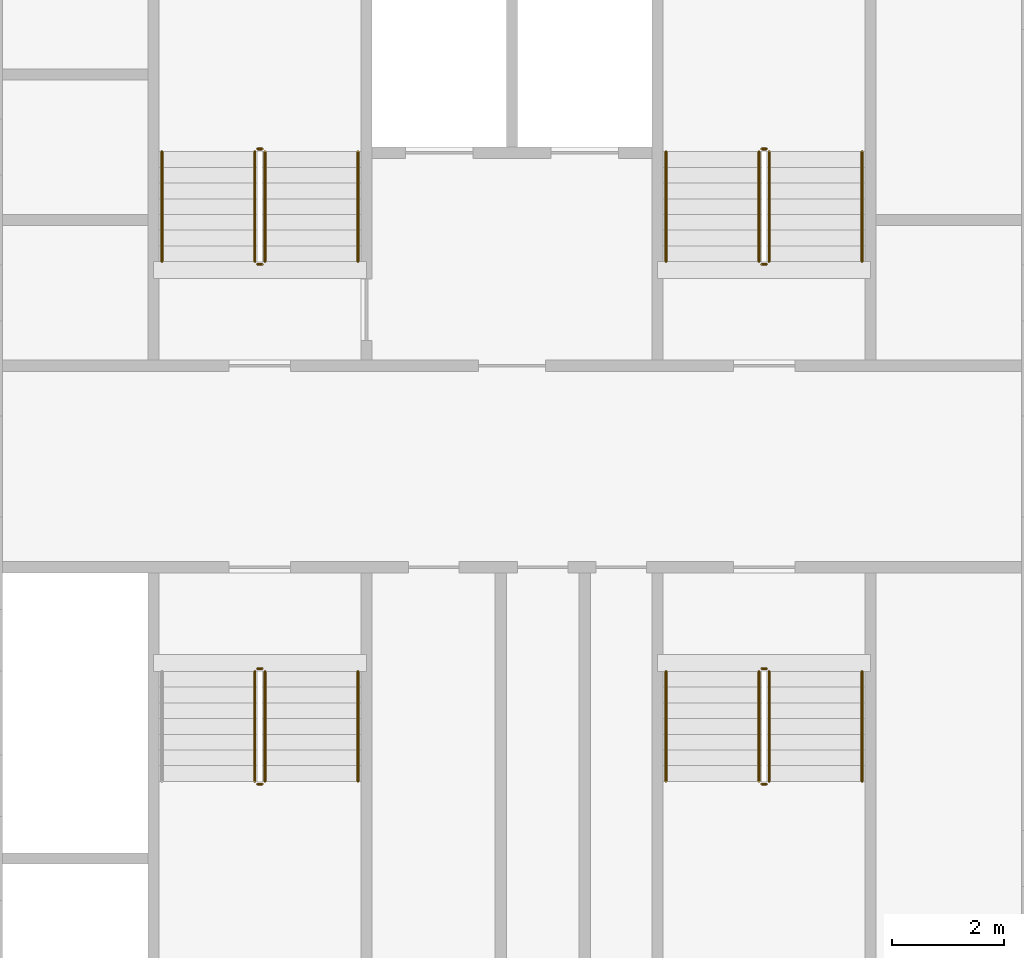
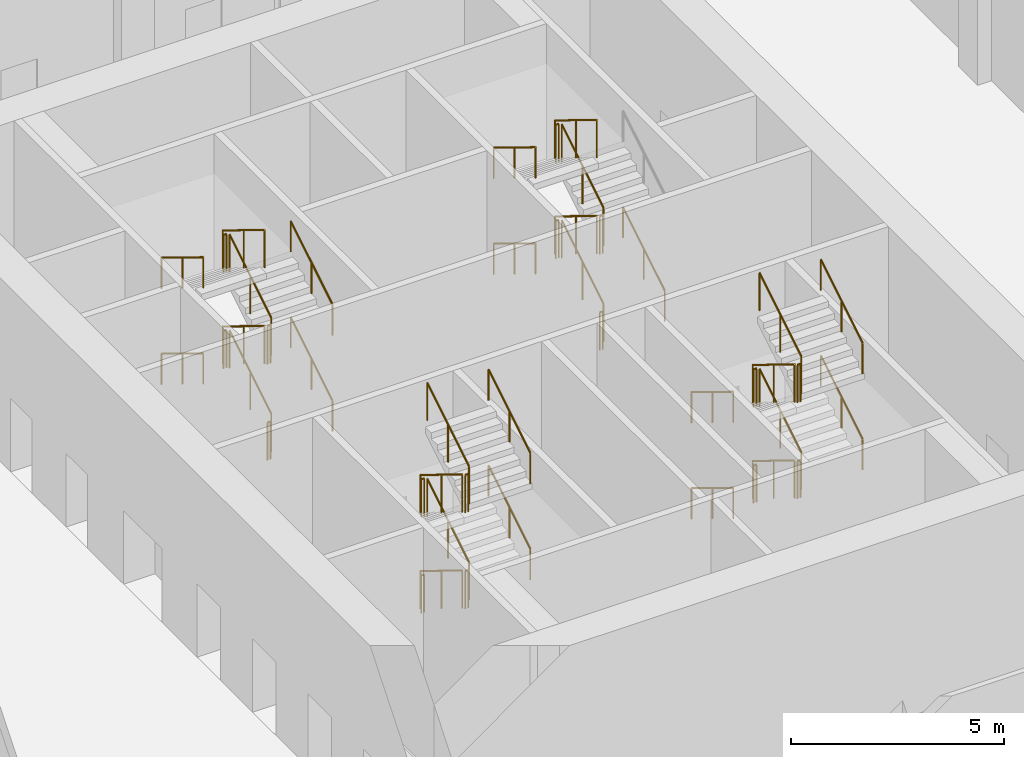
# One storey, part 21 of 23: 45 railings.
"""IFC4 building model written with IfcOpenShell, lengths in metres."""

from ifc_helpers import new_model, si_unit, direction, frame, origin, origin_2d, place, context, subcontext, project, spatial, circle, extrude, material, type_object, element, save


model = new_model("IFC4")

# Units and contexts
model_context = context("Model", 3, precision=1e-05, world=origin(), true_north=direction((0.0, 1.0)))
body_context = subcontext(model_context, "Body", "Model", "MODEL_VIEW")
ifc_project = project(units=[si_unit("LENGTHUNIT", "METRE"), si_unit("AREAUNIT", "SQUARE_METRE"), si_unit("VOLUMEUNIT", "CUBIC_METRE"), si_unit("PLANEANGLEUNIT", "RADIAN"), si_unit("MASSUNIT", "GRAM", prefix="KILO")], contexts=[model_context])

# Site, building, storey
site_placement = place(None, origin())
site = spatial("IfcSite", under=ifc_project, at=site_placement, CompositionType="ELEMENT")
building_placement = place(site_placement, origin())
building = spatial("IfcBuilding", under=site, at=building_placement, Name="Tarsis Ring Headquarters", CompositionType="ELEMENT")
storey_placement = place(building_placement, frame((0.0, 0.0, 19.5)))
storey = spatial("IfcBuildingStorey", under=building, at=storey_placement, Name="L03", CompositionType="ELEMENT", Elevation=19.5)

# Railings
ifc_material = material(Name="Steel S355", Category="steel")
railing_type_1 = type_object("IfcRailingType", Name="Core stair guard 1100", PredefinedType="GUARDRAIL", material=ifc_material)
railing_1_placement = place(storey_placement, frame((-4.409912109375, 3.659912109375, 0.171875)))
element("IfcRailing", 1, at=railing_1_placement, inside=storey, type_object=railing_type_1, Name="L03 ST1 stair guard 1", PredefinedType="GUARDRAIL", context=body_context, shape_type="SweptSolid", body=[
    extrude(circle(Radius=0.02392578125, at=origin_2d()), frame((0.0, 0.0, 1.076171875), z_axis=(0.0, 0.852270028233, 0.523102092307), x_axis=(-1.0, 0.0, 0.0)), (0.0, 0.0, 1.0), 2.300048828125),
    extrude(circle(Radius=0.02099609375, at=origin_2d()), origin(), (0.0, 0.0, 1.0), 1.052001953125),
    extrude(circle(Radius=0.02099609375, at=origin_2d()), frame((0.0, 0.97998046875, 0.6015625)), (0.0, 0.0, 1.0), 1.052001953125),
    extrude(circle(Radius=0.02099609375, at=origin_2d()), frame((0.0, 1.960205078125, 1.203125)), (0.0, 0.0, 1.0), 1.052001953125),
])
railing_2_placement = place(storey_placement, frame((-4.4599609375, 5.669921875, 1.375)))
element("IfcRailing", 2, at=railing_2_placement, inside=storey, type_object=railing_type_1, Name="L03 ST1 stair guard 2", PredefinedType="GUARDRAIL", context=body_context, shape_type="SweptSolid", body=[
    extrude(circle(Radius=0.02392578125, at=origin_2d()), frame((0.0, 0.0, 1.076171875), z_axis=(-1.0, 0.0, 0.0), x_axis=(0.0, -1.0, 0.0)), (0.0, 0.0, 1.0), 0.080078125),
    extrude(circle(Radius=0.02099609375, at=origin_2d()), origin(), (0.0, 0.0, 1.0), 1.052001953125),
    extrude(circle(Radius=0.02099609375, at=origin_2d()), frame((-0.080078125, 0.0, 0.0)), (0.0, 0.0, 1.0), 1.052001953125),
])
railing_3_placement = place(storey_placement, frame((-4.590087890625, 5.6201171875, 1.546875)))
element("IfcRailing", 3, at=railing_3_placement, inside=storey, type_object=railing_type_1, Name="L03 ST1 stair guard 3", PredefinedType="GUARDRAIL", context=body_context, shape_type="SweptSolid", body=[
    extrude(circle(Radius=0.02392578125, at=origin_2d()), frame((0.0, 0.0, 1.076171875), z_axis=(0.0, -0.852270028233, 0.523102092307), x_axis=(1.0, 0.0, 0.0)), (0.0, 0.0, 1.0), 2.300048828125),
    extrude(circle(Radius=0.02099609375, at=origin_2d()), origin(), (0.0, 0.0, 1.0), 1.052001953125),
    extrude(circle(Radius=0.02099609375, at=origin_2d()), frame((0.0, -0.97998046875, 0.6015625)), (0.0, 0.0, 1.0), 1.052001953125),
    extrude(circle(Radius=0.02099609375, at=origin_2d()), frame((0.0, -1.960205078125, 1.203125)), (0.0, 0.0, 1.0), 1.052001953125),
])
railing_4_placement = place(storey_placement, frame((-4.4599609375, 3.610107421875, 2.75)))
element("IfcRailing", 4, at=railing_4_placement, inside=storey, type_object=railing_type_1, Name="L03 ST1 stair guard 4", PredefinedType="GUARDRAIL", context=body_context, shape_type="SweptSolid", body=[
    extrude(circle(Radius=0.02392578125, at=origin_2d()), frame((0.0, 0.0, 1.076171875), z_axis=(-1.0, 0.0, 0.0), x_axis=(0.0, -1.0, 0.0)), (0.0, 0.0, 1.0), 0.080078125),
    extrude(circle(Radius=0.02099609375, at=origin_2d()), origin(), (0.0, 0.0, 1.0), 1.052001953125),
    extrude(circle(Radius=0.02099609375, at=origin_2d()), frame((-0.080078125, 0.0, 0.0)), (0.0, 0.0, 1.0), 1.052001953125),
])
railing_5_placement = place(storey_placement, frame((-4.409912109375, 3.659912109375, 2.921875)))
element("IfcRailing", 5, at=railing_5_placement, inside=storey, type_object=railing_type_1, Name="L03 ST1 stair guard 5", PredefinedType="GUARDRAIL", context=body_context, shape_type="SweptSolid", body=[
    extrude(circle(Radius=0.02392578125, at=origin_2d()), frame((0.0, 0.0, 1.076171875), z_axis=(0.0, 0.852270028233, 0.523102092307), x_axis=(-1.0, 0.0, 0.0)), (0.0, 0.0, 1.0), 2.300048828125),
    extrude(circle(Radius=0.02099609375, at=origin_2d()), origin(), (0.0, 0.0, 1.0), 1.052001953125),
    extrude(circle(Radius=0.02099609375, at=origin_2d()), frame((0.0, 0.97998046875, 0.6015625)), (0.0, 0.0, 1.0), 1.052001953125),
    extrude(circle(Radius=0.02099609375, at=origin_2d()), frame((0.0, 1.960205078125, 1.203125)), (0.0, 0.0, 1.0), 1.052001953125),
])
railing_6_placement = place(storey_placement, frame((-4.4599609375, 5.669921875, 4.125)))
element("IfcRailing", 6, at=railing_6_placement, inside=storey, type_object=railing_type_1, Name="L03 ST1 stair guard 6", PredefinedType="GUARDRAIL", context=body_context, shape_type="SweptSolid", body=[
    extrude(circle(Radius=0.02392578125, at=origin_2d()), frame((0.0, 0.0, 1.076171875), z_axis=(-1.0, 0.0, 0.0), x_axis=(0.0, -1.0, 0.0)), (0.0, 0.0, 1.0), 0.080078125),
    extrude(circle(Radius=0.02099609375, at=origin_2d()), origin(), (0.0, 0.0, 1.0), 1.052001953125),
    extrude(circle(Radius=0.02099609375, at=origin_2d()), frame((-0.080078125, 0.0, 0.0)), (0.0, 0.0, 1.0), 1.052001953125),
])
railing_7_placement = place(storey_placement, frame((-4.590087890625, 5.6201171875, 4.296875)))
element("IfcRailing", 7, at=railing_7_placement, inside=storey, type_object=railing_type_1, Name="L03 ST1 stair guard 7", PredefinedType="GUARDRAIL", context=body_context, shape_type="SweptSolid", body=[
    extrude(circle(Radius=0.02392578125, at=origin_2d()), frame((0.0, 0.0, 1.076171875), z_axis=(0.0, -0.852270028233, 0.523102092307), x_axis=(1.0, 0.0, 0.0)), (0.0, 0.0, 1.0), 2.300048828125),
    extrude(circle(Radius=0.02099609375, at=origin_2d()), origin(), (0.0, 0.0, 1.0), 1.052001953125),
    extrude(circle(Radius=0.02099609375, at=origin_2d()), frame((0.0, -0.97998046875, 0.6015625)), (0.0, 0.0, 1.0), 1.052001953125),
    extrude(circle(Radius=0.02099609375, at=origin_2d()), frame((0.0, -1.960205078125, 1.203125)), (0.0, 0.0, 1.0), 1.052001953125),
])
railing_8_placement = place(storey_placement, frame((-4.4599609375, 3.610107421875, 0.0)))
element("IfcRailing", 8, at=railing_8_placement, inside=storey, type_object=railing_type_1, Name="L03 ST1 stair guard 8", PredefinedType="GUARDRAIL", context=body_context, shape_type="SweptSolid", body=[
    extrude(circle(Radius=0.02392578125, at=origin_2d()), frame((0.0, 0.0, 1.076171875), z_axis=(-1.0, 0.0, 0.0), x_axis=(0.0, -1.0, 0.0)), (0.0, 0.0, 1.0), 0.080078125),
    extrude(circle(Radius=0.02099609375, at=origin_2d()), origin(), (0.0, 0.0, 1.0), 1.052001953125),
    extrude(circle(Radius=0.02099609375, at=origin_2d()), frame((-0.080078125, 0.0, 0.0)), (0.0, 0.0, 1.0), 1.052001953125),
])
railing_9_placement = place(storey_placement, frame((4.590087890625, 3.659912109375, 0.171875)))
element("IfcRailing", 9, at=railing_9_placement, inside=storey, type_object=railing_type_1, Name="L03 ST2 stair guard 1", PredefinedType="GUARDRAIL", context=body_context, shape_type="SweptSolid", body=[
    extrude(circle(Radius=0.02392578125, at=origin_2d()), frame((0.0, 0.0, 1.076171875), z_axis=(0.0, 0.852270028233, 0.523102092307), x_axis=(-1.0, 0.0, 0.0)), (0.0, 0.0, 1.0), 2.300048828125),
    extrude(circle(Radius=0.02099609375, at=origin_2d()), origin(), (0.0, 0.0, 1.0), 1.052001953125),
    extrude(circle(Radius=0.02099609375, at=origin_2d()), frame((0.0, 0.97998046875, 0.6015625)), (0.0, 0.0, 1.0), 1.052001953125),
    extrude(circle(Radius=0.02099609375, at=origin_2d()), frame((0.0, 1.960205078125, 1.203125)), (0.0, 0.0, 1.0), 1.052001953125),
])
railing_10_placement = place(storey_placement, frame((4.5400390625, 5.669921875, 1.375)))
element("IfcRailing", 10, at=railing_10_placement, inside=storey, type_object=railing_type_1, Name="L03 ST2 stair guard 2", PredefinedType="GUARDRAIL", context=body_context, shape_type="SweptSolid", body=[
    extrude(circle(Radius=0.02392578125, at=origin_2d()), frame((0.0, 0.0, 1.076171875), z_axis=(-1.0, 0.0, 0.0), x_axis=(0.0, -1.0, 0.0)), (0.0, 0.0, 1.0), 0.080078125),
    extrude(circle(Radius=0.02099609375, at=origin_2d()), origin(), (0.0, 0.0, 1.0), 1.052001953125),
    extrude(circle(Radius=0.02099609375, at=origin_2d()), frame((-0.080078125, 0.0, 0.0)), (0.0, 0.0, 1.0), 1.052001953125),
])
railing_11_placement = place(storey_placement, frame((4.409912109375, 5.6201171875, 1.546875)))
element("IfcRailing", 11, at=railing_11_placement, inside=storey, type_object=railing_type_1, Name="L03 ST2 stair guard 3", PredefinedType="GUARDRAIL", context=body_context, shape_type="SweptSolid", body=[
    extrude(circle(Radius=0.02392578125, at=origin_2d()), frame((0.0, 0.0, 1.076171875), z_axis=(0.0, -0.852270028233, 0.523102092307), x_axis=(1.0, 0.0, 0.0)), (0.0, 0.0, 1.0), 2.300048828125),
    extrude(circle(Radius=0.02099609375, at=origin_2d()), origin(), (0.0, 0.0, 1.0), 1.052001953125),
    extrude(circle(Radius=0.02099609375, at=origin_2d()), frame((0.0, -0.97998046875, 0.6015625)), (0.0, 0.0, 1.0), 1.052001953125),
    extrude(circle(Radius=0.02099609375, at=origin_2d()), frame((0.0, -1.960205078125, 1.203125)), (0.0, 0.0, 1.0), 1.052001953125),
])
railing_12_placement = place(storey_placement, frame((4.5400390625, 3.610107421875, 2.75)))
element("IfcRailing", 12, at=railing_12_placement, inside=storey, type_object=railing_type_1, Name="L03 ST2 stair guard 4", PredefinedType="GUARDRAIL", context=body_context, shape_type="SweptSolid", body=[
    extrude(circle(Radius=0.02392578125, at=origin_2d()), frame((0.0, 0.0, 1.076171875), z_axis=(-1.0, 0.0, 0.0), x_axis=(0.0, -1.0, 0.0)), (0.0, 0.0, 1.0), 0.080078125),
    extrude(circle(Radius=0.02099609375, at=origin_2d()), origin(), (0.0, 0.0, 1.0), 1.052001953125),
    extrude(circle(Radius=0.02099609375, at=origin_2d()), frame((-0.080078125, 0.0, 0.0)), (0.0, 0.0, 1.0), 1.052001953125),
])
railing_13_placement = place(storey_placement, frame((4.590087890625, 3.659912109375, 2.921875)))
element("IfcRailing", 13, at=railing_13_placement, inside=storey, type_object=railing_type_1, Name="L03 ST2 stair guard 5", PredefinedType="GUARDRAIL", context=body_context, shape_type="SweptSolid", body=[
    extrude(circle(Radius=0.02392578125, at=origin_2d()), frame((0.0, 0.0, 1.076171875), z_axis=(0.0, 0.852270028233, 0.523102092307), x_axis=(-1.0, 0.0, 0.0)), (0.0, 0.0, 1.0), 2.300048828125),
    extrude(circle(Radius=0.02099609375, at=origin_2d()), origin(), (0.0, 0.0, 1.0), 1.052001953125),
    extrude(circle(Radius=0.02099609375, at=origin_2d()), frame((0.0, 0.97998046875, 0.6015625)), (0.0, 0.0, 1.0), 1.052001953125),
    extrude(circle(Radius=0.02099609375, at=origin_2d()), frame((0.0, 1.960205078125, 1.203125)), (0.0, 0.0, 1.0), 1.052001953125),
])
railing_14_placement = place(storey_placement, frame((4.5400390625, 5.669921875, 4.125)))
element("IfcRailing", 14, at=railing_14_placement, inside=storey, type_object=railing_type_1, Name="L03 ST2 stair guard 6", PredefinedType="GUARDRAIL", context=body_context, shape_type="SweptSolid", body=[
    extrude(circle(Radius=0.02392578125, at=origin_2d()), frame((0.0, 0.0, 1.076171875), z_axis=(-1.0, 0.0, 0.0), x_axis=(0.0, -1.0, 0.0)), (0.0, 0.0, 1.0), 0.080078125),
    extrude(circle(Radius=0.02099609375, at=origin_2d()), origin(), (0.0, 0.0, 1.0), 1.052001953125),
    extrude(circle(Radius=0.02099609375, at=origin_2d()), frame((-0.080078125, 0.0, 0.0)), (0.0, 0.0, 1.0), 1.052001953125),
])
railing_15_placement = place(storey_placement, frame((4.409912109375, 5.6201171875, 4.296875)))
element("IfcRailing", 15, at=railing_15_placement, inside=storey, type_object=railing_type_1, Name="L03 ST2 stair guard 7", PredefinedType="GUARDRAIL", context=body_context, shape_type="SweptSolid", body=[
    extrude(circle(Radius=0.02392578125, at=origin_2d()), frame((0.0, 0.0, 1.076171875), z_axis=(0.0, -0.852270028233, 0.523102092307), x_axis=(1.0, 0.0, 0.0)), (0.0, 0.0, 1.0), 2.300048828125),
    extrude(circle(Radius=0.02099609375, at=origin_2d()), origin(), (0.0, 0.0, 1.0), 1.052001953125),
    extrude(circle(Radius=0.02099609375, at=origin_2d()), frame((0.0, -0.97998046875, 0.6015625)), (0.0, 0.0, 1.0), 1.052001953125),
    extrude(circle(Radius=0.02099609375, at=origin_2d()), frame((0.0, -1.960205078125, 1.203125)), (0.0, 0.0, 1.0), 1.052001953125),
])
railing_16_placement = place(storey_placement, frame((4.5400390625, 3.610107421875, 0.0)))
element("IfcRailing", 16, at=railing_16_placement, inside=storey, type_object=railing_type_1, Name="L03 ST2 stair guard 8", PredefinedType="GUARDRAIL", context=body_context, shape_type="SweptSolid", body=[
    extrude(circle(Radius=0.02392578125, at=origin_2d()), frame((0.0, 0.0, 1.076171875), z_axis=(-1.0, 0.0, 0.0), x_axis=(0.0, -1.0, 0.0)), (0.0, 0.0, 1.0), 0.080078125),
    extrude(circle(Radius=0.02099609375, at=origin_2d()), origin(), (0.0, 0.0, 1.0), 1.052001953125),
    extrude(circle(Radius=0.02099609375, at=origin_2d()), frame((-0.080078125, 0.0, 0.0)), (0.0, 0.0, 1.0), 1.052001953125),
])
railing_17_placement = place(storey_placement, frame((-4.590087890625, -3.659912109375, 0.171875)))
element("IfcRailing", 17, at=railing_17_placement, inside=storey, type_object=railing_type_1, Name="L03 ST3 stair guard 1", PredefinedType="GUARDRAIL", context=body_context, shape_type="SweptSolid", body=[
    extrude(circle(Radius=0.02392578125, at=origin_2d()), frame((0.0, 0.0, 1.076171875), z_axis=(0.0, -0.852270028233, 0.523102092307), x_axis=(1.0, 0.0, 0.0)), (0.0, 0.0, 1.0), 2.300048828125),
    extrude(circle(Radius=0.02099609375, at=origin_2d()), origin(), (0.0, 0.0, 1.0), 1.052001953125),
    extrude(circle(Radius=0.02099609375, at=origin_2d()), frame((0.0, -0.97998046875, 0.6015625)), (0.0, 0.0, 1.0), 1.052001953125),
    extrude(circle(Radius=0.02099609375, at=origin_2d()), frame((0.0, -1.960205078125, 1.203125)), (0.0, 0.0, 1.0), 1.052001953125),
])
railing_18_placement = place(storey_placement, frame((-4.5400390625, -5.669921875, 1.375)))
element("IfcRailing", 18, at=railing_18_placement, inside=storey, type_object=railing_type_1, Name="L03 ST3 stair guard 2", PredefinedType="GUARDRAIL", context=body_context, shape_type="SweptSolid", body=[
    extrude(circle(Radius=0.02392578125, at=origin_2d()), frame((0.0, 0.0, 1.076171875), z_axis=(1.0, 0.0, 0.0), x_axis=(0.0, 1.0, 0.0)), (0.0, 0.0, 1.0), 0.080078125),
    extrude(circle(Radius=0.02099609375, at=origin_2d()), origin(), (0.0, 0.0, 1.0), 1.052001953125),
    extrude(circle(Radius=0.02099609375, at=origin_2d()), frame((0.080078125, 0.0, 0.0)), (0.0, 0.0, 1.0), 1.052001953125),
])
railing_19_placement = place(storey_placement, frame((-4.409912109375, -5.6201171875, 1.546875)))
element("IfcRailing", 19, at=railing_19_placement, inside=storey, type_object=railing_type_1, Name="L03 ST3 stair guard 3", PredefinedType="GUARDRAIL", context=body_context, shape_type="SweptSolid", body=[
    extrude(circle(Radius=0.02392578125, at=origin_2d()), frame((0.0, 0.0, 1.076171875), z_axis=(0.0, 0.852270028233, 0.523102092307), x_axis=(-1.0, 0.0, 0.0)), (0.0, 0.0, 1.0), 2.300048828125),
    extrude(circle(Radius=0.02099609375, at=origin_2d()), origin(), (0.0, 0.0, 1.0), 1.052001953125),
    extrude(circle(Radius=0.02099609375, at=origin_2d()), frame((0.0, 0.97998046875, 0.6015625)), (0.0, 0.0, 1.0), 1.052001953125),
    extrude(circle(Radius=0.02099609375, at=origin_2d()), frame((0.0, 1.960205078125, 1.203125)), (0.0, 0.0, 1.0), 1.052001953125),
])
railing_20_placement = place(storey_placement, frame((-4.5400390625, -3.610107421875, 2.75)))
element("IfcRailing", 20, at=railing_20_placement, inside=storey, type_object=railing_type_1, Name="L03 ST3 stair guard 4", PredefinedType="GUARDRAIL", context=body_context, shape_type="SweptSolid", body=[
    extrude(circle(Radius=0.02392578125, at=origin_2d()), frame((0.0, 0.0, 1.076171875), z_axis=(1.0, 0.0, 0.0), x_axis=(0.0, 1.0, 0.0)), (0.0, 0.0, 1.0), 0.080078125),
    extrude(circle(Radius=0.02099609375, at=origin_2d()), origin(), (0.0, 0.0, 1.0), 1.052001953125),
    extrude(circle(Radius=0.02099609375, at=origin_2d()), frame((0.080078125, 0.0, 0.0)), (0.0, 0.0, 1.0), 1.052001953125),
])
railing_21_placement = place(storey_placement, frame((-4.590087890625, -3.659912109375, 2.921875)))
element("IfcRailing", 21, at=railing_21_placement, inside=storey, type_object=railing_type_1, Name="L03 ST3 stair guard 5", PredefinedType="GUARDRAIL", context=body_context, shape_type="SweptSolid", body=[
    extrude(circle(Radius=0.02392578125, at=origin_2d()), frame((0.0, 0.0, 1.076171875), z_axis=(0.0, -0.852270028233, 0.523102092307), x_axis=(1.0, 0.0, 0.0)), (0.0, 0.0, 1.0), 2.300048828125),
    extrude(circle(Radius=0.02099609375, at=origin_2d()), origin(), (0.0, 0.0, 1.0), 1.052001953125),
    extrude(circle(Radius=0.02099609375, at=origin_2d()), frame((0.0, -0.97998046875, 0.6015625)), (0.0, 0.0, 1.0), 1.052001953125),
    extrude(circle(Radius=0.02099609375, at=origin_2d()), frame((0.0, -1.960205078125, 1.203125)), (0.0, 0.0, 1.0), 1.052001953125),
])
railing_22_placement = place(storey_placement, frame((-4.5400390625, -5.669921875, 4.125)))
element("IfcRailing", 22, at=railing_22_placement, inside=storey, type_object=railing_type_1, Name="L03 ST3 stair guard 6", PredefinedType="GUARDRAIL", context=body_context, shape_type="SweptSolid", body=[
    extrude(circle(Radius=0.02392578125, at=origin_2d()), frame((0.0, 0.0, 1.076171875), z_axis=(1.0, 0.0, 0.0), x_axis=(0.0, 1.0, 0.0)), (0.0, 0.0, 1.0), 0.080078125),
    extrude(circle(Radius=0.02099609375, at=origin_2d()), origin(), (0.0, 0.0, 1.0), 1.052001953125),
    extrude(circle(Radius=0.02099609375, at=origin_2d()), frame((0.080078125, 0.0, 0.0)), (0.0, 0.0, 1.0), 1.052001953125),
])
railing_23_placement = place(storey_placement, frame((-4.409912109375, -5.6201171875, 4.296875)))
element("IfcRailing", 23, at=railing_23_placement, inside=storey, type_object=railing_type_1, Name="L03 ST3 stair guard 7", PredefinedType="GUARDRAIL", context=body_context, shape_type="SweptSolid", body=[
    extrude(circle(Radius=0.02392578125, at=origin_2d()), frame((0.0, 0.0, 1.076171875), z_axis=(0.0, 0.852270028233, 0.523102092307), x_axis=(-1.0, 0.0, 0.0)), (0.0, 0.0, 1.0), 2.300048828125),
    extrude(circle(Radius=0.02099609375, at=origin_2d()), origin(), (0.0, 0.0, 1.0), 1.052001953125),
    extrude(circle(Radius=0.02099609375, at=origin_2d()), frame((0.0, 0.97998046875, 0.6015625)), (0.0, 0.0, 1.0), 1.052001953125),
    extrude(circle(Radius=0.02099609375, at=origin_2d()), frame((0.0, 1.960205078125, 1.203125)), (0.0, 0.0, 1.0), 1.052001953125),
])
railing_24_placement = place(storey_placement, frame((-4.5400390625, -3.610107421875, 0.0)))
element("IfcRailing", 24, at=railing_24_placement, inside=storey, type_object=railing_type_1, Name="L03 ST3 stair guard 8", PredefinedType="GUARDRAIL", context=body_context, shape_type="SweptSolid", body=[
    extrude(circle(Radius=0.02392578125, at=origin_2d()), frame((0.0, 0.0, 1.076171875), z_axis=(1.0, 0.0, 0.0), x_axis=(0.0, 1.0, 0.0)), (0.0, 0.0, 1.0), 0.080078125),
    extrude(circle(Radius=0.02099609375, at=origin_2d()), origin(), (0.0, 0.0, 1.0), 1.052001953125),
    extrude(circle(Radius=0.02099609375, at=origin_2d()), frame((0.080078125, 0.0, 0.0)), (0.0, 0.0, 1.0), 1.052001953125),
])
railing_25_placement = place(storey_placement, frame((4.409912109375, -3.659912109375, 0.171875)))
element("IfcRailing", 25, at=railing_25_placement, inside=storey, type_object=railing_type_1, Name="L03 ST4 stair guard 1", PredefinedType="GUARDRAIL", context=body_context, shape_type="SweptSolid", body=[
    extrude(circle(Radius=0.02392578125, at=origin_2d()), frame((0.0, 0.0, 1.076171875), z_axis=(0.0, -0.852270028233, 0.523102092307), x_axis=(1.0, 0.0, 0.0)), (0.0, 0.0, 1.0), 2.300048828125),
    extrude(circle(Radius=0.02099609375, at=origin_2d()), origin(), (0.0, 0.0, 1.0), 1.052001953125),
    extrude(circle(Radius=0.02099609375, at=origin_2d()), frame((0.0, -0.97998046875, 0.6015625)), (0.0, 0.0, 1.0), 1.052001953125),
    extrude(circle(Radius=0.02099609375, at=origin_2d()), frame((0.0, -1.960205078125, 1.203125)), (0.0, 0.0, 1.0), 1.052001953125),
])
railing_26_placement = place(storey_placement, frame((4.4599609375, -5.669921875, 1.375)))
element("IfcRailing", 26, at=railing_26_placement, inside=storey, type_object=railing_type_1, Name="L03 ST4 stair guard 2", PredefinedType="GUARDRAIL", context=body_context, shape_type="SweptSolid", body=[
    extrude(circle(Radius=0.02392578125, at=origin_2d()), frame((0.0, 0.0, 1.076171875), z_axis=(1.0, 0.0, 0.0), x_axis=(0.0, 1.0, 0.0)), (0.0, 0.0, 1.0), 0.080078125),
    extrude(circle(Radius=0.02099609375, at=origin_2d()), origin(), (0.0, 0.0, 1.0), 1.052001953125),
    extrude(circle(Radius=0.02099609375, at=origin_2d()), frame((0.080078125, 0.0, 0.0)), (0.0, 0.0, 1.0), 1.052001953125),
])
railing_27_placement = place(storey_placement, frame((4.590087890625, -5.6201171875, 1.546875)))
element("IfcRailing", 27, at=railing_27_placement, inside=storey, type_object=railing_type_1, Name="L03 ST4 stair guard 3", PredefinedType="GUARDRAIL", context=body_context, shape_type="SweptSolid", body=[
    extrude(circle(Radius=0.02392578125, at=origin_2d()), frame((0.0, 0.0, 1.076171875), z_axis=(0.0, 0.852270028233, 0.523102092307), x_axis=(-1.0, 0.0, 0.0)), (0.0, 0.0, 1.0), 2.300048828125),
    extrude(circle(Radius=0.02099609375, at=origin_2d()), origin(), (0.0, 0.0, 1.0), 1.052001953125),
    extrude(circle(Radius=0.02099609375, at=origin_2d()), frame((0.0, 0.97998046875, 0.6015625)), (0.0, 0.0, 1.0), 1.052001953125),
    extrude(circle(Radius=0.02099609375, at=origin_2d()), frame((0.0, 1.960205078125, 1.203125)), (0.0, 0.0, 1.0), 1.052001953125),
])
railing_28_placement = place(storey_placement, frame((4.4599609375, -3.610107421875, 2.75)))
element("IfcRailing", 28, at=railing_28_placement, inside=storey, type_object=railing_type_1, Name="L03 ST4 stair guard 4", PredefinedType="GUARDRAIL", context=body_context, shape_type="SweptSolid", body=[
    extrude(circle(Radius=0.02392578125, at=origin_2d()), frame((0.0, 0.0, 1.076171875), z_axis=(1.0, 0.0, 0.0), x_axis=(0.0, 1.0, 0.0)), (0.0, 0.0, 1.0), 0.080078125),
    extrude(circle(Radius=0.02099609375, at=origin_2d()), origin(), (0.0, 0.0, 1.0), 1.052001953125),
    extrude(circle(Radius=0.02099609375, at=origin_2d()), frame((0.080078125, 0.0, 0.0)), (0.0, 0.0, 1.0), 1.052001953125),
])
railing_29_placement = place(storey_placement, frame((4.409912109375, -3.659912109375, 2.921875)))
element("IfcRailing", 29, at=railing_29_placement, inside=storey, type_object=railing_type_1, Name="L03 ST4 stair guard 5", PredefinedType="GUARDRAIL", context=body_context, shape_type="SweptSolid", body=[
    extrude(circle(Radius=0.02392578125, at=origin_2d()), frame((0.0, 0.0, 1.076171875), z_axis=(0.0, -0.852270028233, 0.523102092307), x_axis=(1.0, 0.0, 0.0)), (0.0, 0.0, 1.0), 2.300048828125),
    extrude(circle(Radius=0.02099609375, at=origin_2d()), origin(), (0.0, 0.0, 1.0), 1.052001953125),
    extrude(circle(Radius=0.02099609375, at=origin_2d()), frame((0.0, -0.97998046875, 0.6015625)), (0.0, 0.0, 1.0), 1.052001953125),
    extrude(circle(Radius=0.02099609375, at=origin_2d()), frame((0.0, -1.960205078125, 1.203125)), (0.0, 0.0, 1.0), 1.052001953125),
])
railing_30_placement = place(storey_placement, frame((4.4599609375, -5.669921875, 4.125)))
element("IfcRailing", 30, at=railing_30_placement, inside=storey, type_object=railing_type_1, Name="L03 ST4 stair guard 6", PredefinedType="GUARDRAIL", context=body_context, shape_type="SweptSolid", body=[
    extrude(circle(Radius=0.02392578125, at=origin_2d()), frame((0.0, 0.0, 1.076171875), z_axis=(1.0, 0.0, 0.0), x_axis=(0.0, 1.0, 0.0)), (0.0, 0.0, 1.0), 0.080078125),
    extrude(circle(Radius=0.02099609375, at=origin_2d()), origin(), (0.0, 0.0, 1.0), 1.052001953125),
    extrude(circle(Radius=0.02099609375, at=origin_2d()), frame((0.080078125, 0.0, 0.0)), (0.0, 0.0, 1.0), 1.052001953125),
])
railing_31_placement = place(storey_placement, frame((4.590087890625, -5.6201171875, 4.296875)))
element("IfcRailing", 31, at=railing_31_placement, inside=storey, type_object=railing_type_1, Name="L03 ST4 stair guard 7", PredefinedType="GUARDRAIL", context=body_context, shape_type="SweptSolid", body=[
    extrude(circle(Radius=0.02392578125, at=origin_2d()), frame((0.0, 0.0, 1.076171875), z_axis=(0.0, 0.852270028233, 0.523102092307), x_axis=(-1.0, 0.0, 0.0)), (0.0, 0.0, 1.0), 2.300048828125),
    extrude(circle(Radius=0.02099609375, at=origin_2d()), origin(), (0.0, 0.0, 1.0), 1.052001953125),
    extrude(circle(Radius=0.02099609375, at=origin_2d()), frame((0.0, 0.97998046875, 0.6015625)), (0.0, 0.0, 1.0), 1.052001953125),
    extrude(circle(Radius=0.02099609375, at=origin_2d()), frame((0.0, 1.960205078125, 1.203125)), (0.0, 0.0, 1.0), 1.052001953125),
])
railing_32_placement = place(storey_placement, frame((4.4599609375, -3.610107421875, 0.0)))
element("IfcRailing", 32, at=railing_32_placement, inside=storey, type_object=railing_type_1, Name="L03 ST4 stair guard 8", PredefinedType="GUARDRAIL", context=body_context, shape_type="SweptSolid", body=[
    extrude(circle(Radius=0.02392578125, at=origin_2d()), frame((0.0, 0.0, 1.076171875), z_axis=(1.0, 0.0, 0.0), x_axis=(0.0, 1.0, 0.0)), (0.0, 0.0, 1.0), 0.080078125),
    extrude(circle(Radius=0.02099609375, at=origin_2d()), origin(), (0.0, 0.0, 1.0), 1.052001953125),
    extrude(circle(Radius=0.02099609375, at=origin_2d()), frame((0.080078125, 0.0, 0.0)), (0.0, 0.0, 1.0), 1.052001953125),
])
railing_type_2 = type_object("IfcRailingType", Name="Core stair handrail 900", PredefinedType="HANDRAIL", material=ifc_material)
railing_33_placement = place(storey_placement, frame((-2.75, 3.659912109375, 0.171875)))
element("IfcRailing", 33, at=railing_33_placement, inside=storey, type_object=railing_type_2, Name="L03 ST1 stair handrail 1", PredefinedType="HANDRAIL", context=body_context, shape_type="SweptSolid", body=[
    extrude(circle(Radius=0.02392578125, at=origin_2d()), frame((0.0, 0.0, 0.8759765625), z_axis=(0.0, 0.852270028233, 0.523102092307), x_axis=(-1.0, 0.0, 0.0)), (0.0, 0.0, 1.0), 2.300048828125),
    extrude(circle(Radius=0.02099609375, at=origin_2d()), origin(), (0.0, 0.0, 1.0), 0.851806640625),
    extrude(circle(Radius=0.02099609375, at=origin_2d()), frame((0.0, 0.97998046875, 0.6015625)), (0.0, 0.0, 1.0), 0.851806640625),
    extrude(circle(Radius=0.02099609375, at=origin_2d()), frame((0.0, 1.960205078125, 1.203125)), (0.0, 0.0, 1.0), 0.851806640625),
])
railing_34_placement = place(storey_placement, frame((-6.25, 5.6201171875, 1.546875)))
element("IfcRailing", 34, at=railing_34_placement, inside=storey, type_object=railing_type_2, Name="L03 ST1 stair handrail 2", PredefinedType="HANDRAIL", context=body_context, shape_type="SweptSolid", body=[
    extrude(circle(Radius=0.02392578125, at=origin_2d()), frame((0.0, 0.0, 0.8759765625), z_axis=(0.0, -0.852270028233, 0.523102092307), x_axis=(1.0, 0.0, 0.0)), (0.0, 0.0, 1.0), 2.300048828125),
    extrude(circle(Radius=0.02099609375, at=origin_2d()), origin(), (0.0, 0.0, 1.0), 0.851806640625),
    extrude(circle(Radius=0.02099609375, at=origin_2d()), frame((0.0, -0.97998046875, 0.6015625)), (0.0, 0.0, 1.0), 0.851806640625),
    extrude(circle(Radius=0.02099609375, at=origin_2d()), frame((0.0, -1.960205078125, 1.203125)), (0.0, 0.0, 1.0), 0.851806640625),
])
railing_35_placement = place(storey_placement, frame((-2.75, 3.659912109375, 2.921875)))
element("IfcRailing", 35, at=railing_35_placement, inside=storey, type_object=railing_type_2, Name="L03 ST1 stair handrail 3", PredefinedType="HANDRAIL", context=body_context, shape_type="SweptSolid", body=[
    extrude(circle(Radius=0.02392578125, at=origin_2d()), frame((0.0, 0.0, 0.8759765625), z_axis=(0.0, 0.852270028233, 0.523102092307), x_axis=(-1.0, 0.0, 0.0)), (0.0, 0.0, 1.0), 2.300048828125),
    extrude(circle(Radius=0.02099609375, at=origin_2d()), origin(), (0.0, 0.0, 1.0), 0.851806640625),
    extrude(circle(Radius=0.02099609375, at=origin_2d()), frame((0.0, 0.97998046875, 0.6015625)), (0.0, 0.0, 1.0), 0.851806640625),
    extrude(circle(Radius=0.02099609375, at=origin_2d()), frame((0.0, 1.960205078125, 1.203125)), (0.0, 0.0, 1.0), 0.851806640625),
])
railing_36_placement = place(storey_placement, frame((-6.25, 5.6201171875, 4.296875)))
element("IfcRailing", 36, at=railing_36_placement, inside=storey, type_object=railing_type_2, Name="L03 ST1 stair handrail 4", PredefinedType="HANDRAIL", context=body_context, shape_type="SweptSolid", body=[
    extrude(circle(Radius=0.02392578125, at=origin_2d()), frame((0.0, 0.0, 0.8759765625), z_axis=(0.0, -0.852270028233, 0.523102092307), x_axis=(1.0, 0.0, 0.0)), (0.0, 0.0, 1.0), 2.300048828125),
    extrude(circle(Radius=0.02099609375, at=origin_2d()), origin(), (0.0, 0.0, 1.0), 0.851806640625),
    extrude(circle(Radius=0.02099609375, at=origin_2d()), frame((0.0, -0.97998046875, 0.6015625)), (0.0, 0.0, 1.0), 0.851806640625),
    extrude(circle(Radius=0.02099609375, at=origin_2d()), frame((0.0, -1.960205078125, 1.203125)), (0.0, 0.0, 1.0), 0.851806640625),
])
railing_37_placement = place(storey_placement, frame((6.25, 3.659912109375, 0.171875)))
element("IfcRailing", 37, at=railing_37_placement, inside=storey, type_object=railing_type_2, Name="L03 ST2 stair handrail 1", PredefinedType="HANDRAIL", context=body_context, shape_type="SweptSolid", body=[
    extrude(circle(Radius=0.02392578125, at=origin_2d()), frame((0.0, 0.0, 0.8759765625), z_axis=(0.0, 0.852270028233, 0.523102092307), x_axis=(-1.0, 0.0, 0.0)), (0.0, 0.0, 1.0), 2.300048828125),
    extrude(circle(Radius=0.02099609375, at=origin_2d()), origin(), (0.0, 0.0, 1.0), 0.851806640625),
    extrude(circle(Radius=0.02099609375, at=origin_2d()), frame((0.0, 0.97998046875, 0.6015625)), (0.0, 0.0, 1.0), 0.851806640625),
    extrude(circle(Radius=0.02099609375, at=origin_2d()), frame((0.0, 1.960205078125, 1.203125)), (0.0, 0.0, 1.0), 0.851806640625),
])
for number, where, name in (
    (38, (2.75, 5.6201171875, 1.546875), "L03 ST2 stair handrail 2"),
    (39, (2.75, 5.6201171875, 4.296875), "L03 ST2 stair handrail 4"),
):
    element("IfcRailing", number, at=place(storey_placement, frame(where)), inside=storey, type_object=railing_type_2, Name=name, PredefinedType="HANDRAIL", context=body_context, shape_type="SweptSolid", body=[
        extrude(circle(Radius=0.02392578125, at=origin_2d()), frame((0.0, 0.0, 0.8759765625), z_axis=(0.0, -0.852270028233, 0.523102092307), x_axis=(1.0, 0.0, 0.0)), (0.0, 0.0, 1.0), 2.300048828125),
        extrude(circle(Radius=0.02099609375, at=origin_2d()), origin(), (0.0, 0.0, 1.0), 0.851806640625),
        extrude(circle(Radius=0.02099609375, at=origin_2d()), frame((0.0, -0.97998046875, 0.6015625)), (0.0, 0.0, 1.0), 0.851806640625),
        extrude(circle(Radius=0.02099609375, at=origin_2d()), frame((0.0, -1.960205078125, 1.203125)), (0.0, 0.0, 1.0), 0.851806640625),
    ])
for number, where, name in (
    (40, (-2.75, -5.6201171875, 1.546875), "L03 ST3 stair handrail 2"),
    (41, (-2.75, -5.6201171875, 4.296875), "L03 ST3 stair handrail 4"),
):
    element("IfcRailing", number, at=place(storey_placement, frame(where)), inside=storey, type_object=railing_type_2, Name=name, PredefinedType="HANDRAIL", context=body_context, shape_type="SweptSolid", body=[
        extrude(circle(Radius=0.02392578125, at=origin_2d()), frame((0.0, 0.0, 0.8759765625), z_axis=(0.0, 0.852270028233, 0.523102092307), x_axis=(-1.0, 0.0, 0.0)), (0.0, 0.0, 1.0), 2.300048828125),
        extrude(circle(Radius=0.02099609375, at=origin_2d()), origin(), (0.0, 0.0, 1.0), 0.851806640625),
        extrude(circle(Radius=0.02099609375, at=origin_2d()), frame((0.0, 0.97998046875, 0.6015625)), (0.0, 0.0, 1.0), 0.851806640625),
        extrude(circle(Radius=0.02099609375, at=origin_2d()), frame((0.0, 1.960205078125, 1.203125)), (0.0, 0.0, 1.0), 0.851806640625),
    ])
railing_38_placement = place(storey_placement, frame((2.75, -3.659912109375, 0.171875)))
element("IfcRailing", 42, at=railing_38_placement, inside=storey, type_object=railing_type_2, Name="L03 ST4 stair handrail 1", PredefinedType="HANDRAIL", context=body_context, shape_type="SweptSolid", body=[
    extrude(circle(Radius=0.02392578125, at=origin_2d()), frame((0.0, 0.0, 0.8759765625), z_axis=(0.0, -0.852270028233, 0.523102092307), x_axis=(1.0, 0.0, 0.0)), (0.0, 0.0, 1.0), 2.300048828125),
    extrude(circle(Radius=0.02099609375, at=origin_2d()), origin(), (0.0, 0.0, 1.0), 0.851806640625),
    extrude(circle(Radius=0.02099609375, at=origin_2d()), frame((0.0, -0.97998046875, 0.6015625)), (0.0, 0.0, 1.0), 0.851806640625),
    extrude(circle(Radius=0.02099609375, at=origin_2d()), frame((0.0, -1.960205078125, 1.203125)), (0.0, 0.0, 1.0), 0.851806640625),
])
railing_39_placement = place(storey_placement, frame((6.25, -5.6201171875, 1.546875)))
element("IfcRailing", 43, at=railing_39_placement, inside=storey, type_object=railing_type_2, Name="L03 ST4 stair handrail 2", PredefinedType="HANDRAIL", context=body_context, shape_type="SweptSolid", body=[
    extrude(circle(Radius=0.02392578125, at=origin_2d()), frame((0.0, 0.0, 0.8759765625), z_axis=(0.0, 0.852270028233, 0.523102092307), x_axis=(-1.0, 0.0, 0.0)), (0.0, 0.0, 1.0), 2.300048828125),
    extrude(circle(Radius=0.02099609375, at=origin_2d()), origin(), (0.0, 0.0, 1.0), 0.851806640625),
    extrude(circle(Radius=0.02099609375, at=origin_2d()), frame((0.0, 0.97998046875, 0.6015625)), (0.0, 0.0, 1.0), 0.851806640625),
    extrude(circle(Radius=0.02099609375, at=origin_2d()), frame((0.0, 1.960205078125, 1.203125)), (0.0, 0.0, 1.0), 0.851806640625),
])
railing_40_placement = place(storey_placement, frame((2.75, -3.659912109375, 2.921875)))
element("IfcRailing", 44, at=railing_40_placement, inside=storey, type_object=railing_type_2, Name="L03 ST4 stair handrail 3", PredefinedType="HANDRAIL", context=body_context, shape_type="SweptSolid", body=[
    extrude(circle(Radius=0.02392578125, at=origin_2d()), frame((0.0, 0.0, 0.8759765625), z_axis=(0.0, -0.852270028233, 0.523102092307), x_axis=(1.0, 0.0, 0.0)), (0.0, 0.0, 1.0), 2.300048828125),
    extrude(circle(Radius=0.02099609375, at=origin_2d()), origin(), (0.0, 0.0, 1.0), 0.851806640625),
    extrude(circle(Radius=0.02099609375, at=origin_2d()), frame((0.0, -0.97998046875, 0.6015625)), (0.0, 0.0, 1.0), 0.851806640625),
    extrude(circle(Radius=0.02099609375, at=origin_2d()), frame((0.0, -1.960205078125, 1.203125)), (0.0, 0.0, 1.0), 0.851806640625),
])
railing_41_placement = place(storey_placement, frame((6.25, -5.6201171875, 4.296875)))
element("IfcRailing", 45, at=railing_41_placement, inside=storey, type_object=railing_type_2, Name="L03 ST4 stair handrail 4", PredefinedType="HANDRAIL", context=body_context, shape_type="SweptSolid", body=[
    extrude(circle(Radius=0.02392578125, at=origin_2d()), frame((0.0, 0.0, 0.8759765625), z_axis=(0.0, 0.852270028233, 0.523102092307), x_axis=(-1.0, 0.0, 0.0)), (0.0, 0.0, 1.0), 2.300048828125),
    extrude(circle(Radius=0.02099609375, at=origin_2d()), origin(), (0.0, 0.0, 1.0), 0.851806640625),
    extrude(circle(Radius=0.02099609375, at=origin_2d()), frame((0.0, 0.97998046875, 0.6015625)), (0.0, 0.0, 1.0), 0.851806640625),
    extrude(circle(Radius=0.02099609375, at=origin_2d()), frame((0.0, 1.960205078125, 1.203125)), (0.0, 0.0, 1.0), 0.851806640625),
])

save(model, "model.ifc")
